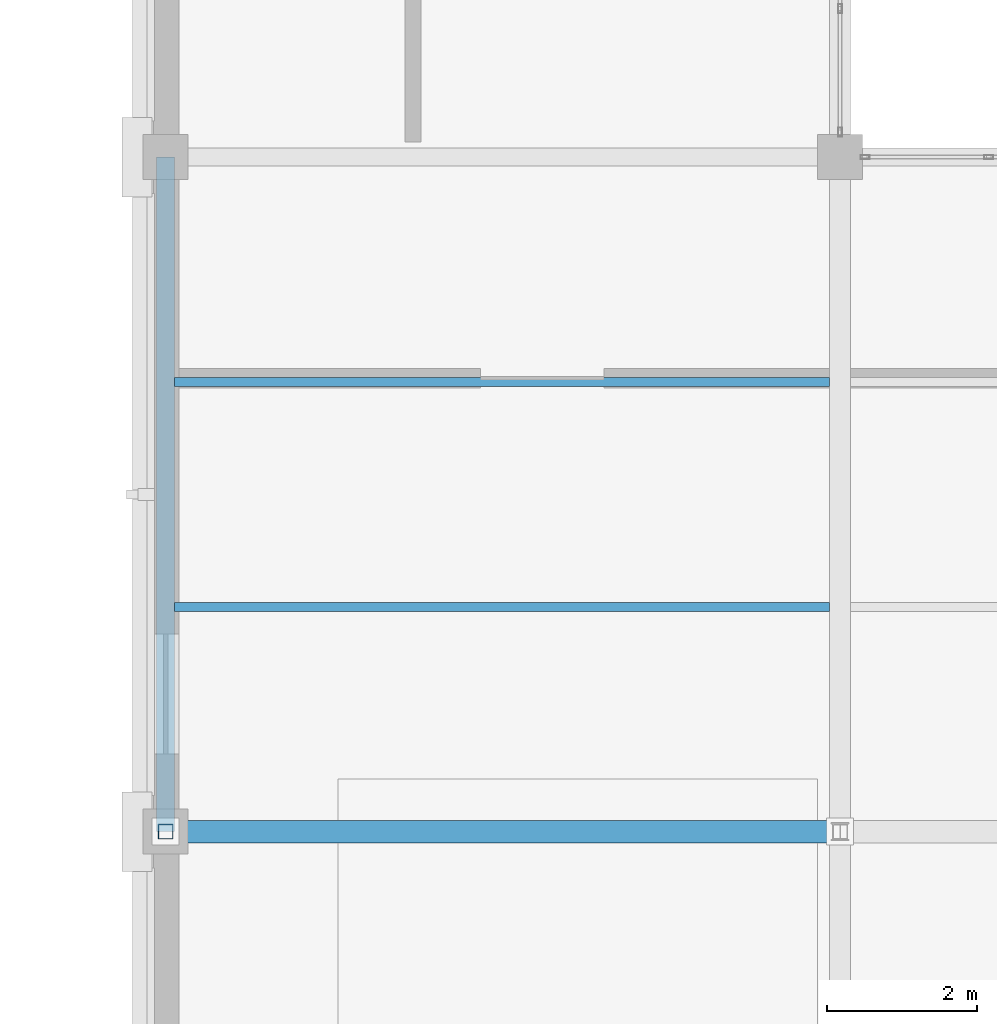
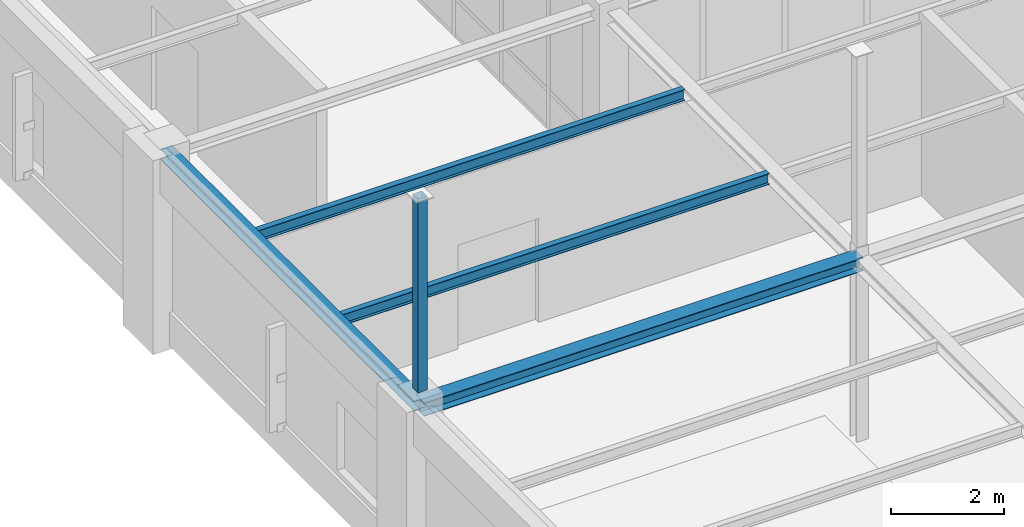
# One storey, part 38 of 97: 4 beams, 1 member.
"""IFC4 building model written with IfcOpenShell, lengths in metres."""

from ifc_helpers import new_model, si_unit, direction, frame, origin, origin_2d, place, context, subcontext, project, spatial, hollow_rectangle, i_section, extrude, material, material_profile, profile_set, type_object, element, save


model = new_model("IFC4")

# Units and contexts
model_context = context("Model", 3, precision=1e-05, world=origin(), true_north=direction((0.0, 1.0)))
body_context = subcontext(model_context, "Body", "Model", "MODEL_VIEW")
ifc_project = project(units=[si_unit("LENGTHUNIT", "METRE"), si_unit("AREAUNIT", "SQUARE_METRE"), si_unit("VOLUMEUNIT", "CUBIC_METRE"), si_unit("PLANEANGLEUNIT", "RADIAN"), si_unit("MASSUNIT", "GRAM", prefix="KILO")], contexts=[model_context])

# Site, building, storey
site_placement = place(None, origin())
site = spatial("IfcSite", under=ifc_project, at=site_placement, CompositionType="ELEMENT")
building_placement = place(site_placement, origin())
building = spatial("IfcBuilding", under=site, at=building_placement, Name="Lykobir Media Centre", CompositionType="ELEMENT")
storey_placement = place(building_placement, frame((0.0, 0.0, 23.39990234375)))
storey = spatial("IfcBuildingStorey", under=building, at=storey_placement, Name="L05", CompositionType="ELEMENT", Elevation=23.39990234375)

# Beams
ifc_material = material(Name="Steel S355", Category="steel")
ifc_material_profile_1 = material_profile(ifc_material, i_section(OverallWidth=0.300048828125, OverallDepth=0.2900390625, WebThickness=0.008544921875, FlangeThickness=0.013916015625, at=origin_2d()), Name="HEA 300")
ifc_profile_set_1 = profile_set([ifc_material_profile_1], Name="Steel S355")
beam_type_1 = type_object("IfcBeamType", Name="BM-HEA300", PredefinedType="BEAM", material=ifc_profile_set_1)
beam_1_placement = place(storey_placement, frame((90.0, 9.0, 3.835205078125), z_axis=(1.0, 0.0, 0.0), x_axis=(0.0, 1.0, 0.0)))
element("IfcBeam", 1, at=beam_1_placement, inside=storey, type_object=beam_type_1, Name="Beam BM-L05-0900-0090-0990-0090-2724", PredefinedType="BEAM", context=body_context, shape_type="SweptSolid", body=[
    extrude(i_section(OverallWidth=0.300048828125, OverallDepth=0.2900390625, WebThickness=0.008544921875, FlangeThickness=0.013916015625, at=origin_2d()), origin(), (0.0, 0.0, 1.0), 9.0),
])
ifc_material_profile_2 = material_profile(ifc_material, i_section(OverallWidth=0.1201171875, OverallDepth=0.239990234375, WebThickness=0.006103515625, FlangeThickness=0.009765625, at=origin_2d()), Name="IPE 240")
ifc_profile_set_2 = profile_set([ifc_material_profile_2], Name="Steel S355")
beam_type_2 = type_object("IfcBeamType", Name="JS-IPE240", PredefinedType="JOIST", material=ifc_profile_set_2)
for number, where, z_axis, x_axis, name in (
    (2, (90.1201171875, 12.0, 3.860107421875), (1.0, 0.0, 0.0), (0.0, 1.0, 0.0), "Beam BM-L05-0901-0120-0989-0120-2726"),
    (3, (90.1201171875, 15.0, 3.860107421875), (1.0, 0.0, 0.0), (0.0, 1.0, 0.0), "Beam BM-L05-0901-0150-0989-0150-2726"),
):
    element("IfcBeam", number, at=place(storey_placement, frame(where, z_axis=z_axis, x_axis=x_axis)), inside=storey, type_object=beam_type_2, Name=name, PredefinedType="JOIST", context=body_context, shape_type="SweptSolid", body=[
        extrude(i_section(OverallWidth=0.1201171875, OverallDepth=0.239990234375, WebThickness=0.006103515625, FlangeThickness=0.009765625, at=origin_2d()), origin(), (0.0, 0.0, 1.0), 8.739990234375),
    ])
ifc_material_profile_3 = material_profile(ifc_material, i_section(OverallWidth=0.239990234375, OverallDepth=0.22998046875, WebThickness=0.007568359375, FlangeThickness=0.011962890625, at=origin_2d()), Name="HEA 240")
ifc_profile_set_3 = profile_set([ifc_material_profile_3], Name="Steel S355")
beam_type_3 = type_object("IfcBeamType", Name="SP-HEA240-E", PredefinedType="SPANDREL", material=ifc_profile_set_3)
beam_2_placement = place(storey_placement, frame((90.0, 9.0, 3.864990234375), z_axis=(0.0, 1.0, 0.0), x_axis=(-1.0, 0.0, 0.0)))
element("IfcBeam", 4, at=beam_2_placement, inside=storey, type_object=beam_type_3, Name="Beam BM-L05-0900-0090-0900-0180-2726", PredefinedType="SPANDREL", context=body_context, shape_type="SweptSolid", body=[
    extrude(i_section(OverallWidth=0.239990234375, OverallDepth=0.22998046875, WebThickness=0.007568359375, FlangeThickness=0.011962890625, at=origin_2d()), origin(), (0.0, 0.0, 1.0), 9.0),
])

# Member
ifc_material_profile_4 = material_profile(ifc_material, hollow_rectangle(XDim=0.199951171875, YDim=0.199951171875, WallThickness=0.010009765625, at=origin_2d()), Name="SHS 200x200x10")
ifc_profile_set_4 = profile_set([ifc_material_profile_4], Name="Steel S355")
member_type = type_object("IfcMemberType", Name="TC-SHS200", PredefinedType="CHORD", material=ifc_profile_set_4)
member_placement = place(storey_placement, frame((90.0, 9.0, 4.2001953125), z_axis=(0.0, 0.0, 1.0), x_axis=(1.0, 0.0, 0.0)))
element("IfcMember", 5, at=member_placement, inside=storey, type_object=member_type, Name="Truss chord MEM2-L05-0900-0090-0276-0900-0090-0010", PredefinedType="CHORD", context=body_context, shape_type="SweptSolid", body=[
    extrude(hollow_rectangle(XDim=0.199951171875, YDim=0.199951171875, WallThickness=0.010009765625, at=origin_2d()), origin(), (0.0, 0.0, 1.0), 4.193603515625),
])

save(model, "model.ifc")
